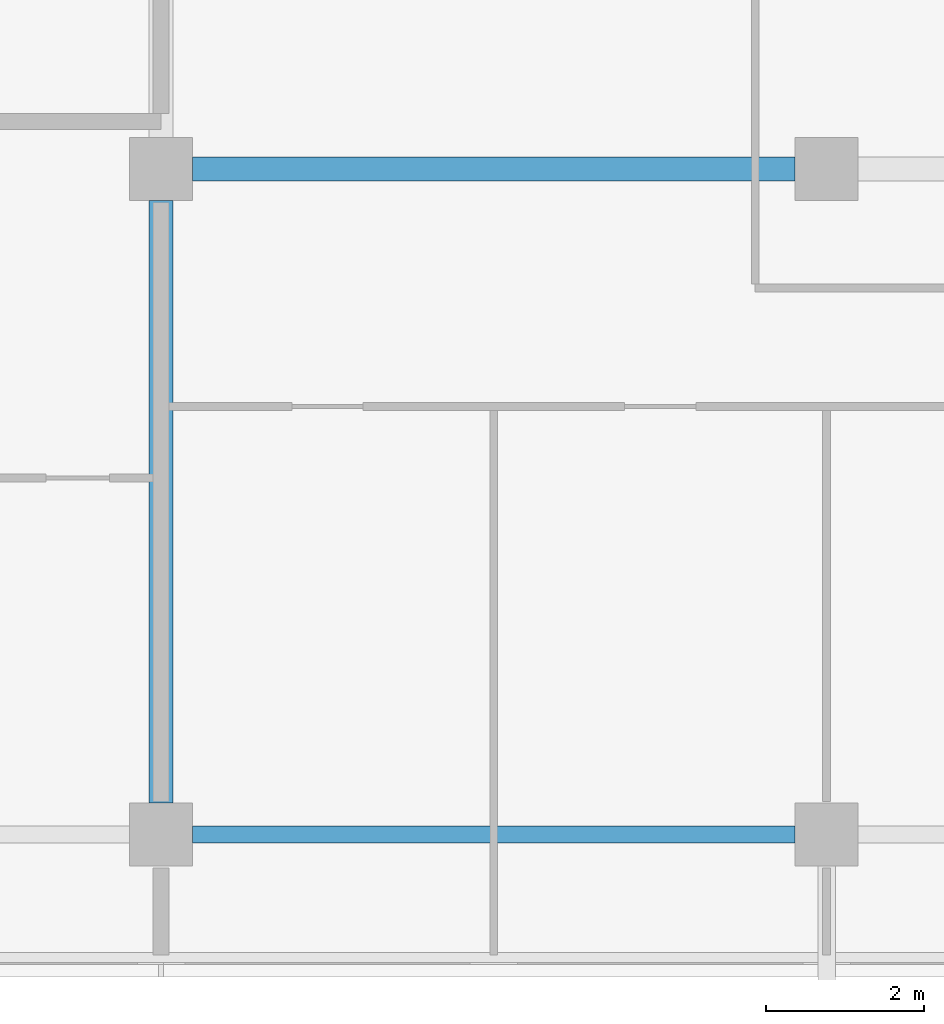
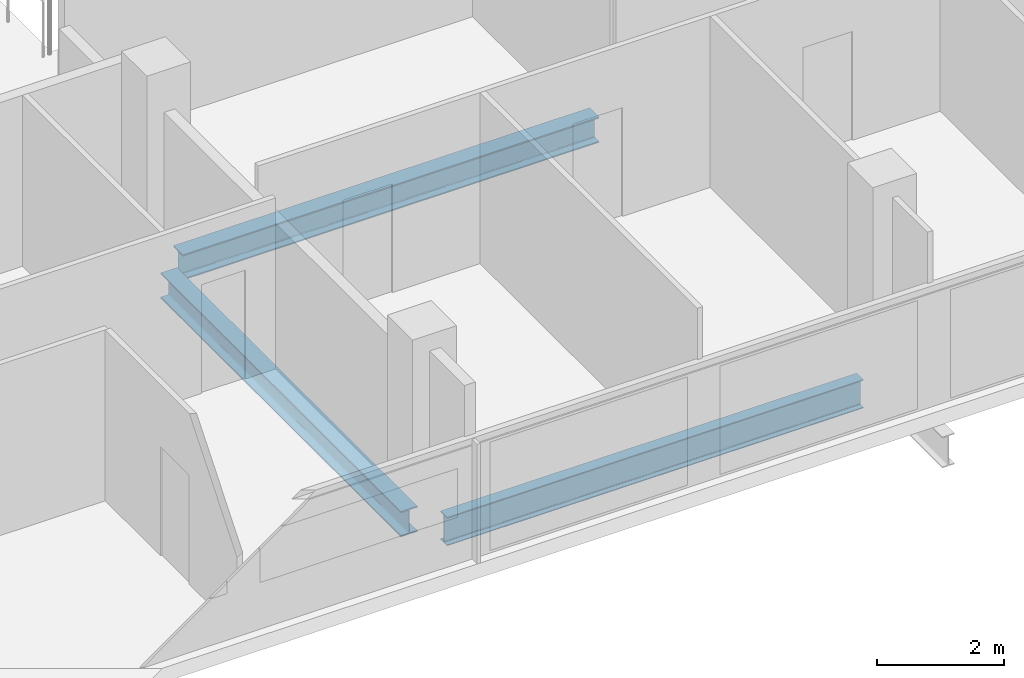
# One storey, part 3 of 26: 3 beams.
"""IFC4 building model written with IfcOpenShell, lengths in metres."""

from ifc_helpers import new_model, si_unit, direction, frame, origin, origin_2d, place, context, subcontext, project, spatial, i_section, extrude, material, material_profile, profile_set, type_object, element, save


model = new_model("IFC4")

# Units and contexts
model_context = context("Model", 3, precision=1e-05, world=origin(), true_north=direction((0.0, 1.0)))
body_context = subcontext(model_context, "Body", "Model", "MODEL_VIEW")
ifc_project = project(units=[si_unit("LENGTHUNIT", "METRE"), si_unit("AREAUNIT", "SQUARE_METRE"), si_unit("VOLUMEUNIT", "CUBIC_METRE"), si_unit("PLANEANGLEUNIT", "RADIAN"), si_unit("MASSUNIT", "GRAM", prefix="KILO")], contexts=[model_context])

# Site, building, storey
site_placement = place(None, origin())
site = spatial("IfcSite", under=ifc_project, at=site_placement, CompositionType="ELEMENT")
building_placement = place(site_placement, origin())
building = spatial("IfcBuilding", under=site, at=building_placement, Name="Saffron Gate Tower", CompositionType="ELEMENT")
storey_placement = place(building_placement, frame((0.0, 0.0, 138.449951171875)))
storey = spatial("IfcBuildingStorey", under=building, at=storey_placement, Name="L33", CompositionType="ELEMENT", Elevation=138.449951171875)

# Beams
ifc_material = material(Name="Structural steel S355", Category="steel")
ifc_material_profile_1 = material_profile(ifc_material, i_section(OverallWidth=0.2099609375, OverallDepth=0.550048828125, WebThickness=0.010986328125, FlangeThickness=0.01708984375, FilletRadius=0.02392578125, at=origin_2d()))
ifc_profile_set_1 = profile_set([ifc_material_profile_1], Name="Structural steel S355")
beam_type_1 = type_object("IfcBeamType", Name="B13 IPE 550", PredefinedType="SPANDREL", material=ifc_profile_set_1)
beam_placement = place(storey_placement, frame((75.39990234375, 31.800048828125, -0.554931640625), z_axis=(1.0, 0.0, 0.0), x_axis=(0.0, 1.0, 0.0)))
element("IfcBeam", 1, at=beam_placement, inside=storey, type_object=beam_type_1, Name="B13 SPANDREL BEAM", PredefinedType="SPANDREL", context=body_context, shape_type="SweptSolid", body=[
    extrude(i_section(OverallWidth=0.2099609375, OverallDepth=0.550048828125, WebThickness=0.010986328125, FlangeThickness=0.01708984375, FilletRadius=0.02392578125, at=origin_2d()), origin(), (0.0, 0.0, 1.0), 7.60009765625),
])
ifc_material_profile_2 = material_profile(ifc_material, i_section(OverallWidth=0.300048828125, OverallDepth=0.489990234375, WebThickness=0.011962890625, FlangeThickness=0.02294921875, FilletRadius=0.027099609375, at=origin_2d()))
ifc_profile_set_2 = profile_set([ifc_material_profile_2], Name="Structural steel S355")
beam_type_2 = type_object("IfcBeamType", Name="B8 HEA 500", PredefinedType="BEAM", material=ifc_profile_set_2)
for number, where, z_axis, x_axis, name in (
    (2, (75.0, 32.199951171875, -0.52490234375), (0.0, 1.0, 0.0), (-1.0, 0.0, 0.0), "B8 FLOOR GIRDER"),
    (3, (75.39990234375, 40.199951171875, -0.52490234375), (1.0, 0.0, 0.0), (0.0, 1.0, 0.0), "B8 FLOOR GIRDER"),
):
    element("IfcBeam", number, at=place(storey_placement, frame(where, z_axis=z_axis, x_axis=x_axis)), inside=storey, type_object=beam_type_2, Name=name, PredefinedType="BEAM", context=body_context, shape_type="SweptSolid", body=[
        extrude(i_section(OverallWidth=0.300048828125, OverallDepth=0.489990234375, WebThickness=0.011962890625, FlangeThickness=0.02294921875, FilletRadius=0.027099609375, at=origin_2d()), origin(), (0.0, 0.0, 1.0), 7.60009765625),
    ])

save(model, "model.ifc")
